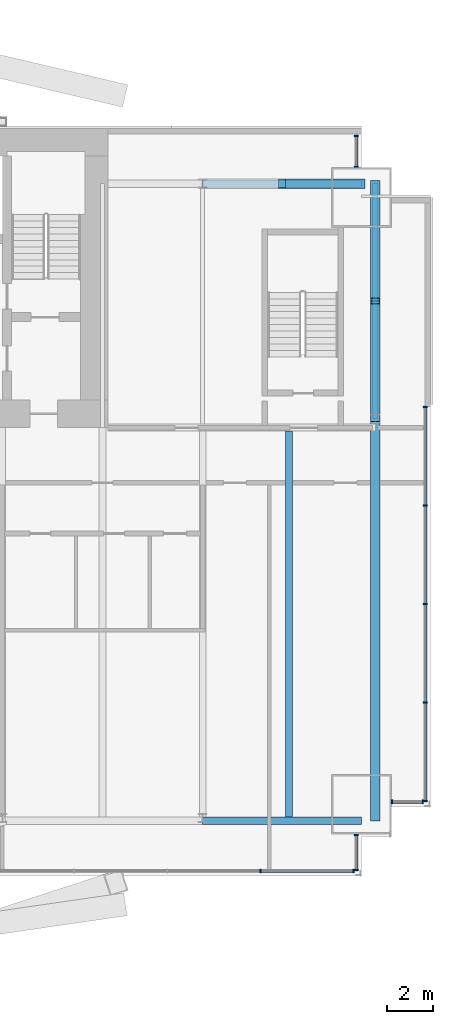
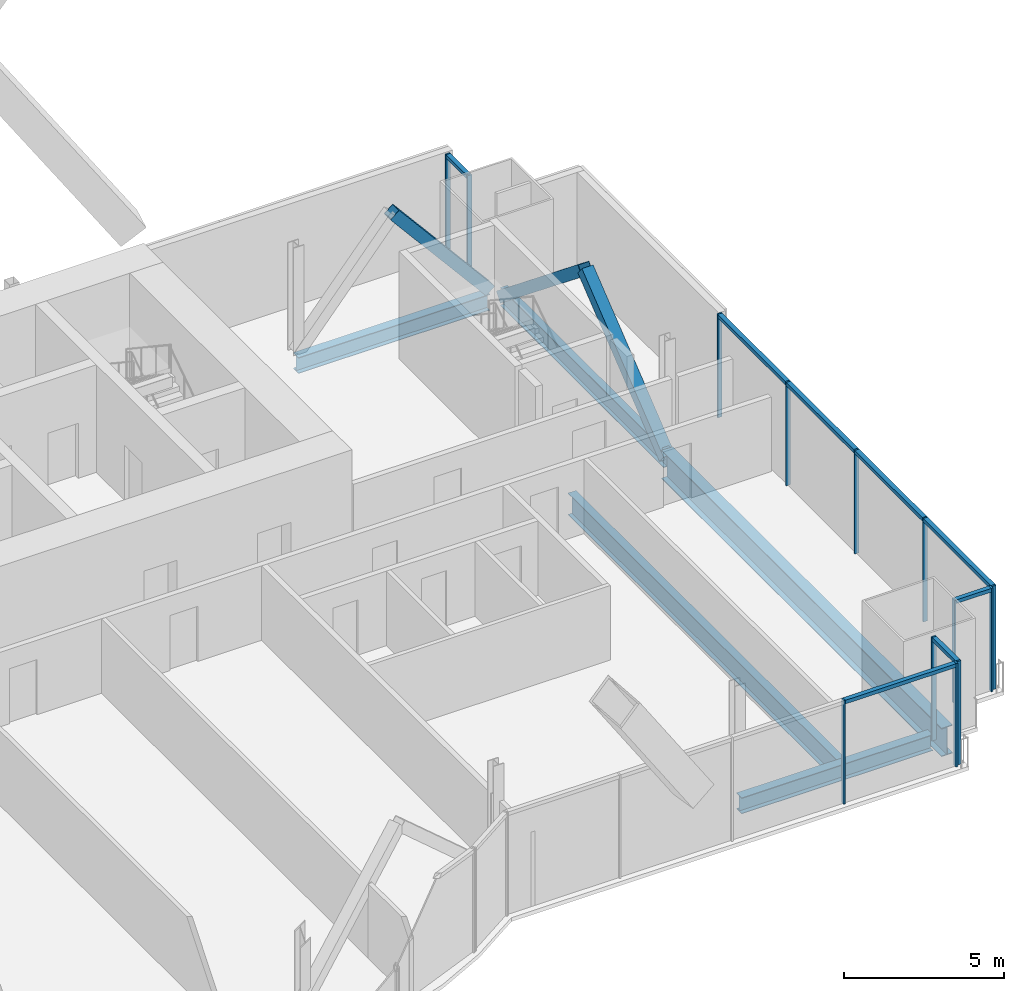
# One storey, part 14 of 22: 24 members, 5 beams, 5 elements without a shape of their own.
"""IFC4 building model written with IfcOpenShell, lengths in metres."""

from ifc_helpers import new_model, si_unit, direction, frame, origin, origin_2d, place, context, subcontext, project, spatial, rectangle, hollow_rectangle, i_section, extrude, material, material_profile, profile_set, type_object, element, aggregate, save


model = new_model("IFC4")

# Units and contexts
model_context = context("Model", 3, precision=1e-05, world=origin(), true_north=direction((0.0, 1.0)))
body_context = subcontext(model_context, "Body", "Model", "MODEL_VIEW")
ifc_project = project(units=[si_unit("LENGTHUNIT", "METRE"), si_unit("AREAUNIT", "SQUARE_METRE"), si_unit("VOLUMEUNIT", "CUBIC_METRE"), si_unit("PLANEANGLEUNIT", "RADIAN"), si_unit("MASSUNIT", "GRAM", prefix="KILO")], contexts=[model_context])

# Site, building, storey
site_placement = place(None, origin())
site = spatial("IfcSite", under=ifc_project, at=site_placement, CompositionType="ELEMENT")
building_placement = place(site_placement, origin())
building = spatial("IfcBuilding", under=site, at=building_placement, Name="Bicima Exchange Tower", CompositionType="ELEMENT")
storey_placement = place(building_placement, frame((0.0, 0.0, 203.199951171875)))
storey = spatial("IfcBuildingStorey", under=building, at=storey_placement, Name="L45", CompositionType="ELEMENT", Elevation=203.199951171875)

# Curtain wall, members
ifc_material_1 = material(Name="Anodised bronze aluminium", Category="aluminium")
curtain_wall_type_1 = type_object("IfcCurtainWallType", Name="End face glass wall", PredefinedType="NOTDEFINED", material=ifc_material_1)
curtain_wall_1_placement = place(storey_placement, origin())
curtain_wall_1 = element("IfcCurtainWall", 1, at=curtain_wall_1_placement, inside=storey, type_object=curtain_wall_type_1, Name="End face glass wall L45 run 19", PredefinedType="NOTDEFINED")
ifc_material_profile_1 = material_profile(ifc_material_1, rectangle(XDim=0.159912109375, YDim=0.06005859375, at=origin_2d()))
ifc_profile_set_1 = profile_set([ifc_material_profile_1], Name="Anodised bronze aluminium")
member_type_1 = type_object("IfcMemberType", Name="End face glass wall mullion 60 x 160", PredefinedType="MULLION", material=ifc_profile_set_1)
member_1_placement = place(storey_placement, frame((35.77001953125, -29.22412109375, 0.0), z_axis=(0.0, 0.0, 1.0), x_axis=(-1.0, 0.0, 0.0)))
member_1 = element("IfcMember", 2, at=member_1_placement, type_object=member_type_1, Name="End face glass wall mullion 1", PredefinedType="MULLION", context=body_context, shape_type="SweptSolid", body=[
    extrude(rectangle(XDim=0.159912109375, YDim=0.06005859375, at=origin_2d()), origin(), (0.0, 0.0, 1.0), 3.949951171875),
])
member_2_placement = place(storey_placement, frame((35.77001953125, -24.945556640625, 0.0), z_axis=(0.0, 0.0, 1.0), x_axis=(-1.0, 0.0, 0.0)))
member_2 = element("IfcMember", 3, at=member_2_placement, type_object=member_type_1, Name="End face glass wall mullion 2", PredefinedType="MULLION", context=body_context, shape_type="SweptSolid", body=[
    extrude(rectangle(XDim=0.159912109375, YDim=0.06005859375, at=origin_2d()), origin(), (0.0, 0.0, 1.0), 3.949951171875),
])
member_3_placement = place(storey_placement, frame((35.77001953125, -20.6669921875, 0.0), z_axis=(0.0, 0.0, 1.0), x_axis=(-1.0, 0.0, 0.0)))
member_3 = element("IfcMember", 4, at=member_3_placement, type_object=member_type_1, Name="End face glass wall mullion 3", PredefinedType="MULLION", context=body_context, shape_type="SweptSolid", body=[
    extrude(rectangle(XDim=0.159912109375, YDim=0.06005859375, at=origin_2d()), origin(), (0.0, 0.0, 1.0), 3.949951171875),
])
member_4_placement = place(storey_placement, frame((35.77001953125, -16.388427734375, 0.0), z_axis=(0.0, 0.0, 1.0), x_axis=(-1.0, 0.0, 0.0)))
member_4 = element("IfcMember", 5, at=member_4_placement, type_object=member_type_1, Name="End face glass wall mullion 4", PredefinedType="MULLION", context=body_context, shape_type="SweptSolid", body=[
    extrude(rectangle(XDim=0.159912109375, YDim=0.06005859375, at=origin_2d()), origin(), (0.0, 0.0, 1.0), 3.949951171875),
])
member_5_placement = place(storey_placement, frame((35.77001953125, -12.110107421875, 0.0), z_axis=(0.0, 0.0, 1.0), x_axis=(-1.0, 0.0, 0.0)))
member_5 = element("IfcMember", 6, at=member_5_placement, type_object=member_type_1, Name="End face glass wall mullion 5", PredefinedType="MULLION", context=body_context, shape_type="SweptSolid", body=[
    extrude(rectangle(XDim=0.159912109375, YDim=0.06005859375, at=origin_2d()), origin(), (0.0, 0.0, 1.0), 3.949951171875),
])
ifc_material_profile_2 = material_profile(ifc_material_1, rectangle(XDim=0.159912109375, YDim=0.139892578125, at=origin_2d()))
ifc_profile_set_2 = profile_set([ifc_material_profile_2], Name="Anodised bronze aluminium")
member_type_2 = type_object("IfcMemberType", Name="End face glass wall transom 140 x 160", PredefinedType="USERDEFINED", material=ifc_profile_set_2)
member_6_placement = place(storey_placement, frame((35.77001953125, -29.194091796875, 3.880126953125), z_axis=(0.0, 1.0, 0.0), x_axis=(-1.0, 0.0, 0.0)))
member_6 = element("IfcMember", 7, at=member_6_placement, type_object=member_type_2, Name="End face glass wall transom 1.1", ObjectType="TRANSOM", PredefinedType="USERDEFINED", context=body_context, shape_type="SweptSolid", body=[
    extrude(rectangle(XDim=0.159912109375, YDim=0.139892578125, at=origin_2d()), origin(), (0.0, 0.0, 1.0), 4.218505859375),
])
member_7_placement = place(storey_placement, frame((35.77001953125, -24.91552734375, 3.880126953125), z_axis=(0.0, 1.0, 0.0), x_axis=(-1.0, 0.0, 0.0)))
member_7 = element("IfcMember", 8, at=member_7_placement, type_object=member_type_2, Name="End face glass wall transom 2.1", ObjectType="TRANSOM", PredefinedType="USERDEFINED", context=body_context, shape_type="SweptSolid", body=[
    extrude(rectangle(XDim=0.159912109375, YDim=0.139892578125, at=origin_2d()), origin(), (0.0, 0.0, 1.0), 4.218505859375),
])
member_8_placement = place(storey_placement, frame((35.77001953125, -20.636962890625, 3.880126953125), z_axis=(0.0, 1.0, 0.0), x_axis=(-1.0, 0.0, 0.0)))
member_8 = element("IfcMember", 9, at=member_8_placement, type_object=member_type_2, Name="End face glass wall transom 3.1", ObjectType="TRANSOM", PredefinedType="USERDEFINED", context=body_context, shape_type="SweptSolid", body=[
    extrude(rectangle(XDim=0.159912109375, YDim=0.139892578125, at=origin_2d()), origin(), (0.0, 0.0, 1.0), 4.218505859375),
])
member_9_placement = place(storey_placement, frame((35.77001953125, -16.3583984375, 3.880126953125), z_axis=(0.0, 1.0, 0.0), x_axis=(-1.0, 0.0, 0.0)))
member_9 = element("IfcMember", 10, at=member_9_placement, type_object=member_type_2, Name="End face glass wall transom 4.1", ObjectType="TRANSOM", PredefinedType="USERDEFINED", context=body_context, shape_type="SweptSolid", body=[
    extrude(rectangle(XDim=0.159912109375, YDim=0.139892578125, at=origin_2d()), origin(), (0.0, 0.0, 1.0), 4.218505859375),
])
aggregate(curtain_wall_1, [member_1, member_2, member_3, member_4, member_5, member_6, member_7, member_8, member_9])

# Beams
ifc_material_2 = material(Name="Steel ASTM A992 Gr 50", Category="steel")
ifc_material_profile_3 = material_profile(ifc_material_2, i_section(OverallWidth=0.256591796875, OverallDepth=0.693359375, WebThickness=0.014404296875, FlangeThickness=0.023681640625, at=origin_2d()))
ifc_profile_set_3 = profile_set([ifc_material_profile_3], Name="Steel ASTM A992 Gr 50")
beam_type_1 = type_object("IfcBeamType", Name="End girder W27x114", PredefinedType="BEAM", material=ifc_profile_set_3)
beam_1_placement = place(storey_placement, frame((33.60009765625, -2.39990234375, -0.49658203125), z_axis=(0.0, -1.0, 0.0), x_axis=(1.0, 0.0, 0.0)))
element("IfcBeam", 11, at=beam_1_placement, inside=storey, type_object=beam_type_1, Name="End girder", PredefinedType="BEAM", context=body_context, shape_type="SweptSolid", body=[
    extrude(i_section(OverallWidth=0.256591796875, OverallDepth=0.693359375, WebThickness=0.014404296875, FlangeThickness=0.023681640625, at=origin_2d()), origin(), (0.0, 0.0, 1.0), 10.2001953125),
])
ifc_material_profile_4 = material_profile(ifc_material_2, i_section(OverallWidth=0.4013671875, OverallDepth=1.089599609375, WebThickness=0.01806640625, FlangeThickness=0.031005859375, at=origin_2d()))
ifc_profile_set_4 = profile_set([ifc_material_profile_4], Name="Steel ASTM A992 Gr 50")
beam_type_2 = type_object("IfcBeamType", Name="End girder W44x230", PredefinedType="BEAM", material=ifc_profile_set_4)
beam_2_placement = place(storey_placement, frame((33.60009765625, -12.60009765625, -0.69482421875), z_axis=(0.0, -1.0, 0.0), x_axis=(1.0, 0.0, 0.0)))
element("IfcBeam", 12, at=beam_2_placement, inside=storey, type_object=beam_type_2, Name="End girder", PredefinedType="BEAM", context=body_context, shape_type="SweptSolid", body=[
    extrude(i_section(OverallWidth=0.4013671875, OverallDepth=1.089599609375, WebThickness=0.01806640625, FlangeThickness=0.031005859375, at=origin_2d()), origin(), (0.0, 0.0, 1.0), 17.48388671875),
])
ifc_material_profile_5 = material_profile(ifc_material_2, i_section(OverallWidth=0.2919921875, OverallDepth=0.835693359375, WebThickness=0.013916015625, FlangeThickness=0.018798828125, at=origin_2d()))
ifc_profile_set_5 = profile_set([ifc_material_profile_5], Name="Steel ASTM A992 Gr 50")
beam_type_3 = type_object("IfcBeamType", Name="Floor beam W33x118", PredefinedType="JOIST", material=ifc_profile_set_5)
beam_3_placement = place(storey_placement, frame((29.85009765625, -13.15234375, -0.56787109375), z_axis=(0.0, -1.0, 0.0), x_axis=(1.0, 0.0, 0.0)))
element("IfcBeam", 13, at=beam_3_placement, inside=storey, type_object=beam_type_3, Name="Floor beam", PredefinedType="JOIST", context=body_context, shape_type="SweptSolid", body=[
    extrude(i_section(OverallWidth=0.2919921875, OverallDepth=0.835693359375, WebThickness=0.013916015625, FlangeThickness=0.018798828125, at=origin_2d()), origin(), (0.0, 0.0, 1.0), 16.76904296875),
])
ifc_material_profile_6 = material_profile(ifc_material_2, i_section(OverallWidth=0.3251953125, OverallDepth=0.612060546875, WebThickness=0.0126953125, FlangeThickness=0.01904296875, at=origin_2d()))
ifc_profile_set_6 = profile_set([ifc_material_profile_6], Name="Steel ASTM A992 Gr 50")
beam_type_4 = type_object("IfcBeamType", Name="Front girder W24x104", PredefinedType="BEAM", material=ifc_profile_set_6)
beam_4_placement = place(storey_placement, frame((26.10009765625, -30.083984375, -0.4560546875), z_axis=(1.0, 0.0, 0.0), x_axis=(0.0, 1.0, 0.0)))
element("IfcBeam", 14, at=beam_4_placement, inside=storey, type_object=beam_type_4, Name="Front girder", PredefinedType="BEAM", context=body_context, shape_type="SweptSolid", body=[
    extrude(i_section(OverallWidth=0.3251953125, OverallDepth=0.612060546875, WebThickness=0.0126953125, FlangeThickness=0.01904296875, at=origin_2d()), origin(), (0.0, 0.0, 1.0), 6.89990234375),
])

# Curtain wall, members
curtain_wall_type_2 = type_object("IfcCurtainWallType", Name="Front glass wall", PredefinedType="NOTDEFINED", material=ifc_material_1)
curtain_wall_2_placement = place(storey_placement, origin())
curtain_wall_2 = element("IfcCurtainWall", 15, at=curtain_wall_2_placement, inside=storey, type_object=curtain_wall_type_2, Name="Front glass wall L45 run 16", PredefinedType="NOTDEFINED")
member_type_3 = type_object("IfcMemberType", Name="Front glass wall mullion 60 x 160", PredefinedType="MULLION", material=ifc_profile_set_1)
member_10_placement = place(storey_placement, frame((28.610595703125, -32.25390625, 0.0), z_axis=(0.0, 0.0, 1.0), x_axis=(0.0, 1.0, 0.0)))
member_10 = element("IfcMember", 16, at=member_10_placement, type_object=member_type_3, Name="Front glass wall mullion 4", PredefinedType="MULLION", context=body_context, shape_type="SweptSolid", body=[
    extrude(rectangle(XDim=0.159912109375, YDim=0.06005859375, at=origin_2d()), origin(), (0.0, 0.0, 1.0), 3.949951171875),
])
member_11_placement = place(storey_placement, frame((32.659912109375, -32.25390625, 0.0), z_axis=(0.0, 0.0, 1.0), x_axis=(0.0, 1.0, 0.0)))
member_11 = element("IfcMember", 17, at=member_11_placement, type_object=member_type_3, Name="Front glass wall mullion 5", PredefinedType="MULLION", context=body_context, shape_type="SweptSolid", body=[
    extrude(rectangle(XDim=0.159912109375, YDim=0.06005859375, at=origin_2d()), origin(), (0.0, 0.0, 1.0), 3.949951171875),
])

curtain_wall_3_placement = place(storey_placement, origin())
curtain_wall_3 = element("IfcCurtainWall", 18, at=curtain_wall_3_placement, inside=storey, type_object=curtain_wall_type_2, Name="Front glass wall L45 run 17", PredefinedType="NOTDEFINED")
member_12_placement = place(storey_placement, frame((32.77001953125, -32.22412109375, 0.0), z_axis=(0.0, 0.0, 1.0), x_axis=(-1.0, 0.0, 0.0)))
member_12 = element("IfcMember", 19, at=member_12_placement, type_object=member_type_3, Name="Front glass wall mullion 1", PredefinedType="MULLION", context=body_context, shape_type="SweptSolid", body=[
    extrude(rectangle(XDim=0.159912109375, YDim=0.06005859375, at=origin_2d()), origin(), (0.0, 0.0, 1.0), 3.949951171875),
])
member_13_placement = place(storey_placement, frame((32.77001953125, -30.69189453125, 0.0), z_axis=(0.0, 0.0, 1.0), x_axis=(-1.0, 0.0, 0.0)))
member_13 = element("IfcMember", 20, at=member_13_placement, type_object=member_type_3, Name="Front glass wall mullion 2", PredefinedType="MULLION", context=body_context, shape_type="SweptSolid", body=[
    extrude(rectangle(XDim=0.159912109375, YDim=0.06005859375, at=origin_2d()), origin(), (0.0, 0.0, 1.0), 3.949951171875),
])

curtain_wall_4_placement = place(storey_placement, origin())
curtain_wall_4 = element("IfcCurtainWall", 21, at=curtain_wall_4_placement, inside=storey, type_object=curtain_wall_type_2, Name="Front glass wall L45 run 18", PredefinedType="NOTDEFINED")
member_14_placement = place(storey_placement, frame((34.330078125, -29.25390625, 0.0), z_axis=(0.0, 0.0, 1.0), x_axis=(0.0, 1.0, 0.0)))
member_14 = element("IfcMember", 22, at=member_14_placement, type_object=member_type_3, Name="Front glass wall mullion 1", PredefinedType="MULLION", context=body_context, shape_type="SweptSolid", body=[
    extrude(rectangle(XDim=0.159912109375, YDim=0.06005859375, at=origin_2d()), origin(), (0.0, 0.0, 1.0), 3.949951171875),
])
member_15_placement = place(storey_placement, frame((35.659912109375, -29.25390625, 0.0), z_axis=(0.0, 0.0, 1.0), x_axis=(0.0, 1.0, 0.0)))
member_15 = element("IfcMember", 23, at=member_15_placement, type_object=member_type_3, Name="Front glass wall mullion 2", PredefinedType="MULLION", context=body_context, shape_type="SweptSolid", body=[
    extrude(rectangle(XDim=0.159912109375, YDim=0.06005859375, at=origin_2d()), origin(), (0.0, 0.0, 1.0), 3.949951171875),
])

curtain_wall_5_placement = place(storey_placement, origin())
curtain_wall_5 = element("IfcCurtainWall", 24, at=curtain_wall_5_placement, inside=storey, type_object=curtain_wall_type_2, Name="Front glass wall L45 run 20", PredefinedType="NOTDEFINED")
member_16_placement = place(storey_placement, frame((32.77001953125, -1.669921875, 0.0), z_axis=(0.0, 0.0, 1.0), x_axis=(-1.0, 0.0, 0.0)))
member_16 = element("IfcMember", 25, at=member_16_placement, type_object=member_type_3, Name="Front glass wall mullion 1", PredefinedType="MULLION", context=body_context, shape_type="SweptSolid", body=[
    extrude(rectangle(XDim=0.159912109375, YDim=0.06005859375, at=origin_2d()), origin(), (0.0, 0.0, 1.0), 3.949951171875),
])
member_17_placement = place(storey_placement, frame((32.77001953125, -0.340087890625, 0.0), z_axis=(0.0, 0.0, 1.0), x_axis=(-1.0, 0.0, 0.0)))
member_17 = element("IfcMember", 26, at=member_17_placement, type_object=member_type_3, Name="Front glass wall mullion 2", PredefinedType="MULLION", context=body_context, shape_type="SweptSolid", body=[
    extrude(rectangle(XDim=0.159912109375, YDim=0.06005859375, at=origin_2d()), origin(), (0.0, 0.0, 1.0), 3.949951171875),
])

# Member
member_type_4 = type_object("IfcMemberType", Name="Front glass wall transom 140 x 160", PredefinedType="USERDEFINED", material=ifc_profile_set_2)
member_18_placement = place(storey_placement, frame((28.640380859375, -32.25390625, 3.880126953125), z_axis=(1.0, 0.0, 0.0), x_axis=(0.0, 1.0, 0.0)))
member_18 = element("IfcMember", 27, at=member_18_placement, type_object=member_type_4, Name="Front glass wall transom 4.1", ObjectType="TRANSOM", PredefinedType="USERDEFINED", context=body_context, shape_type="SweptSolid", body=[
    extrude(rectangle(XDim=0.159912109375, YDim=0.139892578125, at=origin_2d()), origin(), (0.0, 0.0, 1.0), 3.989501953125),
])

aggregate(curtain_wall_2, [member_10, member_11, member_18])

member_19_placement = place(storey_placement, frame((32.77001953125, -32.194091796875, 3.880126953125), z_axis=(0.0, 1.0, 0.0), x_axis=(-1.0, 0.0, 0.0)))
member_19 = element("IfcMember", 28, at=member_19_placement, type_object=member_type_4, Name="Front glass wall transom 1.1", ObjectType="TRANSOM", PredefinedType="USERDEFINED", context=body_context, shape_type="SweptSolid", body=[
    extrude(rectangle(XDim=0.159912109375, YDim=0.139892578125, at=origin_2d()), origin(), (0.0, 0.0, 1.0), 1.47216796875),
])

aggregate(curtain_wall_3, [member_12, member_13, member_19])

member_20_placement = place(storey_placement, frame((34.360107421875, -29.25390625, 3.880126953125), z_axis=(1.0, 0.0, 0.0), x_axis=(0.0, 1.0, 0.0)))
member_20 = element("IfcMember", 29, at=member_20_placement, type_object=member_type_4, Name="Front glass wall transom 1.1", ObjectType="TRANSOM", PredefinedType="USERDEFINED", context=body_context, shape_type="SweptSolid", body=[
    extrude(rectangle(XDim=0.159912109375, YDim=0.139892578125, at=origin_2d()), origin(), (0.0, 0.0, 1.0), 1.269775390625),
])

aggregate(curtain_wall_4, [member_14, member_15, member_20])

member_21_placement = place(storey_placement, frame((32.77001953125, -1.639892578125, 3.880126953125), z_axis=(0.0, 1.0, 0.0), x_axis=(-1.0, 0.0, 0.0)))
member_21 = element("IfcMember", 30, at=member_21_placement, type_object=member_type_4, Name="Front glass wall transom 1.1", ObjectType="TRANSOM", PredefinedType="USERDEFINED", context=body_context, shape_type="SweptSolid", body=[
    extrude(rectangle(XDim=0.159912109375, YDim=0.139892578125, at=origin_2d()), origin(), (0.0, 0.0, 1.0), 1.269775390625),
])

aggregate(curtain_wall_5, [member_16, member_17, member_21])

# Members
ifc_material_3 = material(Name="Steel ASTM A572 Gr 50", Category="steel")
ifc_material_profile_7 = material_profile(ifc_material_3, hollow_rectangle(XDim=0.406494140625, YDim=0.406494140625, WallThickness=0.0146484375, at=origin_2d()))
ifc_profile_set_7 = profile_set([ifc_material_profile_7], Name="Steel ASTM A572 Gr 50")
member_type_5 = type_object("IfcMemberType", Name="Mega brace HSS16x16x5/8", PredefinedType="BRACE", material=ifc_profile_set_7)
member_22_placement = place(storey_placement, frame((33.0, -2.39990234375, 0.0), z_axis=(-0.643834042494, 0.0, 0.765165162384), x_axis=(0.0, -1.0, 0.0)))
element("IfcMember", 31, at=member_22_placement, inside=storey, type_object=member_type_5, Name="Mega brace rear", PredefinedType="BRACE", context=body_context, shape_type="SweptSolid", body=[
    extrude(hollow_rectangle(XDim=0.406494140625, YDim=0.406494140625, WallThickness=0.0146484375, at=origin_2d()), origin(), (0.0, 0.0, 1.0), 5.3583984375),
])
for number, where, z_axis, x_axis, name in (
    (32, (33.60009765625, -2.39990234375, -0.49658203125), (0.0, -0.779392460608, 0.626536026376), (1.0, 0.0, 0.0), "Mega brace east end"),
    (33, (33.60009765625, -12.60009765625, -0.49658203125), (0.0, 0.779392460608, 0.626536026376), (-1.0, 0.0, 0.0), "Mega brace east end"),
):
    element("IfcMember", number, at=place(storey_placement, frame(where, z_axis=z_axis, x_axis=x_axis)), inside=storey, type_object=member_type_5, Name=name, PredefinedType="BRACE", context=body_context, shape_type="SweptSolid", body=[
        extrude(hollow_rectangle(XDim=0.406494140625, YDim=0.406494140625, WallThickness=0.0146484375, at=origin_2d()), origin(), (0.0, 0.0, 1.0), 6.543701171875),
    ])

# Beam
beam_type_5 = type_object("IfcBeamType", Name="Rear girder W24x104", PredefinedType="BEAM", material=ifc_profile_set_6)
beam_5_placement = place(storey_placement, frame((26.10009765625, -2.39990234375, -0.4560546875), z_axis=(1.0, 0.0, 0.0), x_axis=(0.0, 1.0, 0.0)))
element("IfcBeam", 34, at=beam_5_placement, inside=storey, type_object=beam_type_5, Name="Rear girder", PredefinedType="BEAM", context=body_context, shape_type="SweptSolid", body=[
    extrude(i_section(OverallWidth=0.3251953125, OverallDepth=0.612060546875, WebThickness=0.0126953125, FlangeThickness=0.01904296875, at=origin_2d()), origin(), (0.0, 0.0, 1.0), 6.89990234375),
])

save(model, "model.ifc")
